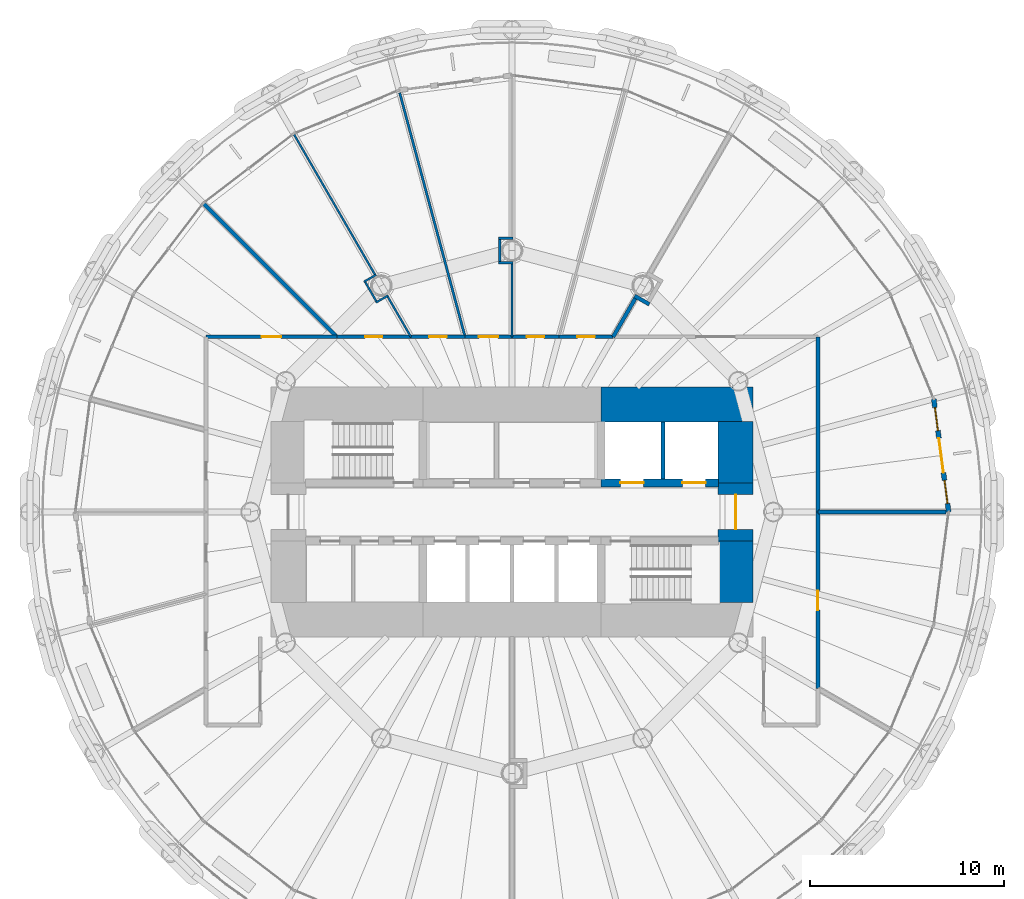
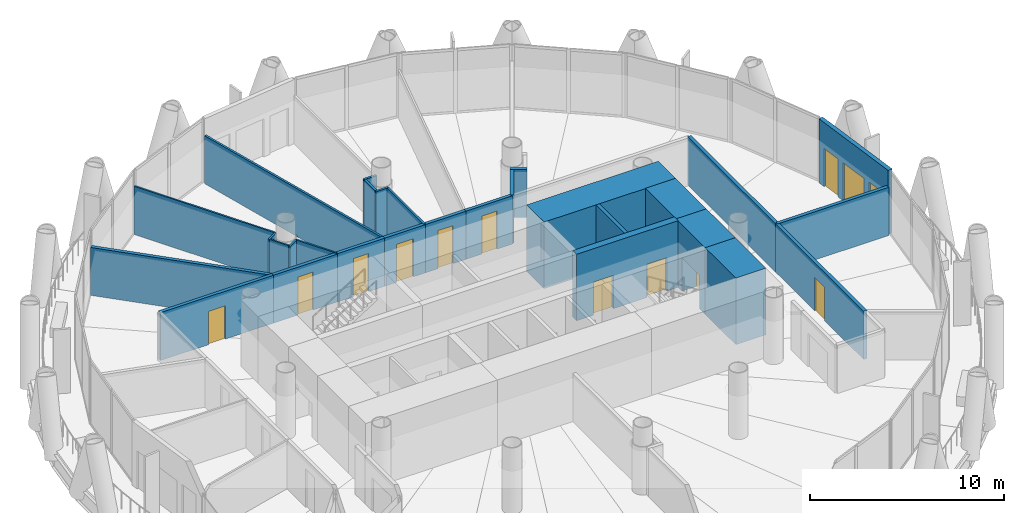
# One storey, part 11 of 16: 29 walls, 11 doors, 2 windows, 13 openings.
"""IFC4 building model written with IfcOpenShell, lengths in metres."""

from ifc_helpers import new_model, si_unit, direction, frame, frame_2d, origin, place, context, subcontext, project, spatial, rectangle, extrude, material, layer, layer_set, type_object, element, fill, save


model = new_model("IFC4")

# Units and contexts
model_context = context("Model", 3, precision=1e-05, world=origin(), true_north=direction((0.0, 1.0)))
body_context = subcontext(model_context, "Body", "Model", "MODEL_VIEW")
ifc_project = project(units=[si_unit("LENGTHUNIT", "METRE"), si_unit("AREAUNIT", "SQUARE_METRE"), si_unit("VOLUMEUNIT", "CUBIC_METRE"), si_unit("PLANEANGLEUNIT", "RADIAN"), si_unit("MASSUNIT", "GRAM", prefix="KILO")], contexts=[model_context])

# Site, building, storey
site_placement = place(None, origin())
site = spatial("IfcSite", under=ifc_project, at=site_placement, CompositionType="ELEMENT")
building_placement = place(site_placement, origin())
building = spatial("IfcBuilding", under=site, at=building_placement, Name="Qaws Media Tower", CompositionType="ELEMENT")
storey_placement = place(building_placement, frame((0.0, 0.0, 139.39990234375)))
storey = spatial("IfcBuildingStorey", under=building, at=storey_placement, Name="L31", CompositionType="ELEMENT", Elevation=139.39990234375)

# Wall, openings, door, windows
ifc_material_1 = material(Name="Precast concrete, exposed finish", Category="concrete")
ifc_layer_1 = layer(ifc_material_1, 0.25)
ifc_layer_set_1 = layer_set([ifc_layer_1], Name="Balcony door wall 250")
wall_type_1 = type_object("IfcWallType", Name="Balcony door wall 250", PredefinedType="SOLIDWALL", material=ifc_layer_set_1)
wall_1_placement = place(storey_placement, frame((82.550048828125, 50.0, 0.0), z_axis=(0.0, 0.0, 1.0), x_axis=(-0.130514589873, 0.991446388783, 0.0)))
wall_1 = element("IfcWall", 1, at=wall_1_placement, inside=storey, type_object=wall_type_1, Name="W193 EW1 balcony door wall L31-01", PredefinedType="SOLIDWALL", context=body_context, shape_type="SweptSolid", body=[
    extrude(rectangle(XDim=5.88671875, YDim=0.25, at=frame_2d((2.943359375, 0.0))), origin(), (0.0, 0.0, 1.0), 4.0400390625),
])
opening_1_placement = place(wall_1_placement, frame((2.04345703125, 0.0, 0.0)))
opening_1 = element("IfcOpeningElement", 2, at=opening_1_placement, cuts=wall_1, Name="Opening D7", PredefinedType="OPENING", context=body_context, shape_type="SweptSolid", body=[
    extrude(rectangle(XDim=1.800048828125, YDim=2.39990234375, at=frame_2d((0.89990234375, 1.199951171875))), frame((0.0, 0.135009765625, 0.0), z_axis=(0.0, -1.0, 0.0), x_axis=(1.0, 0.0, 0.0)), (0.0, 0.0, 1.0), 0.27001953125),
])
opening_2_placement = place(wall_1_placement, frame((0.443359375, 0.0, 0.0)))
opening_2 = element("IfcOpeningElement", 3, at=opening_2_placement, cuts=wall_1, Name="Opening W1", PredefinedType="OPENING", context=body_context, shape_type="SweptSolid", body=[
    extrude(rectangle(XDim=1.199951171875, YDim=2.39990234375, at=frame_2d((0.60009765625, 1.199951171875))), frame((0.0, 0.135009765625, 0.0), z_axis=(0.0, -1.0, 0.0), x_axis=(1.0, 0.0, 0.0)), (0.0, 0.0, 1.0), 0.27001953125),
])
opening_3_placement = place(wall_1_placement, frame((4.243408203125, 0.0, 0.0)))
opening_3 = element("IfcOpeningElement", 4, at=opening_3_placement, cuts=wall_1, Name="Opening W1", PredefinedType="OPENING", context=body_context, shape_type="SweptSolid", body=[
    extrude(rectangle(XDim=1.199951171875, YDim=2.39990234375, at=frame_2d((0.60009765625, 1.199951171875))), frame((0.0, 0.135009765625, 0.0), z_axis=(0.0, -1.0, 0.0), x_axis=(1.0, 0.0, 0.0)), (0.0, 0.0, 1.0), 0.27001953125),
])
ifc_material_2 = material(Name="Aluminium and clear glass", Category="aluminium")
door_type_1 = type_object("IfcDoorType", Name="Balcony door pair 1800", OperationType="DOUBLE_DOOR_SLIDING", PredefinedType="DOOR", material=ifc_material_2)
door_1_placement = place(opening_1_placement, origin())
door_1 = element("IfcDoor", 5, at=door_1_placement, inside=storey, type_object=door_type_1, Name="D7 balcony door L31-01 in wall W193", OperationType="DOUBLE_DOOR_SLIDING", OverallHeight=2.39990234375, OverallWidth=1.800048828125, PredefinedType="DOOR", context=body_context, shape_type="SweptSolid", body=[
    extrude(rectangle(XDim=1.800048828125, YDim=2.39990234375, at=frame_2d((0.89990234375, 1.199951171875))), frame((0.0, 0.02490234375, 0.0), z_axis=(0.0, -1.0, 0.0), x_axis=(1.0, 0.0, 0.0)), (0.0, 0.0, 1.0), 0.050048828125),
])
fill(opening_1, door_1)
ifc_material_3 = material(Name="Aluminium and clear glass", Category="aluminium")
window_type = type_object("IfcWindowType", Name="Balcony side window 1200", PartitioningType="SINGLE_PANEL", PredefinedType="WINDOW", material=ifc_material_3)
window_1_placement = place(opening_2_placement, origin())
window_1 = element("IfcWindow", 6, at=window_1_placement, inside=storey, type_object=window_type, Name="W1 balcony side light L31-01L", OverallHeight=2.39990234375, OverallWidth=1.199951171875, PartitioningType="SINGLE_PANEL", PredefinedType="WINDOW", context=body_context, shape_type="SweptSolid", body=[
    extrude(rectangle(XDim=1.199951171875, YDim=2.39990234375, at=frame_2d((0.60009765625, 1.199951171875))), frame((0.0, 0.030029296875, 0.0), z_axis=(0.0, -1.0, 0.0), x_axis=(1.0, 0.0, 0.0)), (0.0, 0.0, 1.0), 0.06005859375),
])
fill(opening_2, window_1)
window_2_placement = place(opening_3_placement, origin())
window_2 = element("IfcWindow", 7, at=window_2_placement, inside=storey, type_object=window_type, Name="W1 balcony side light L31-01R", OverallHeight=2.39990234375, OverallWidth=1.199951171875, PartitioningType="SINGLE_PANEL", PredefinedType="WINDOW", context=body_context, shape_type="SweptSolid", body=[
    extrude(rectangle(XDim=1.199951171875, YDim=2.39990234375, at=frame_2d((0.60009765625, 1.199951171875))), frame((0.0, 0.030029296875, 0.0), z_axis=(0.0, -1.0, 0.0), x_axis=(1.0, 0.0, 0.0)), (0.0, 0.0, 1.0), 0.06005859375),
])
fill(opening_3, window_2)

# Wall, openings, doors
ifc_material_4 = material(Name="Concrete C60/75", Category="concrete")
ifc_layer_2 = layer(ifc_material_4, 0.39990234375)
ifc_layer_set_2 = layer_set([ifc_layer_2], Name="Core inner wall 400")
wall_type_2 = type_object("IfcWallType", Name="Core inner wall 400", PredefinedType="SHEAR", material=ifc_layer_set_2)
wall_2_placement = place(storey_placement, frame((64.60009765625, 51.5, 0.0), z_axis=(0.0, 0.0, 1.0), x_axis=(1.0, 0.0, 0.0)))
wall_2 = element("IfcWall", 8, at=wall_2_placement, inside=storey, type_object=wall_type_2, Name="W326 SW4 core wall SPNE L31", PredefinedType="SHEAR", context=body_context, shape_type="SweptSolid", body=[
    extrude(rectangle(XDim=6.06982421875, YDim=0.39990234375, at=frame_2d((3.034912109375, 0.0))), origin(), (0.0, 0.0, 1.0), 4.2001953125),
])
opening_4_placement = place(wall_2_placement, frame((1.0, 0.0, 0.0)))
opening_4 = element("IfcOpeningElement", 9, at=opening_4_placement, cuts=wall_2, Name="Opening LD2", PredefinedType="OPENING", context=body_context, shape_type="SweptSolid", body=[
    extrude(rectangle(XDim=1.199951171875, YDim=2.10009765625, at=frame_2d((0.60009765625, 1.050048828125))), frame((0.0, 0.2099609375, 0.0), z_axis=(0.0, -1.0, 0.0), x_axis=(1.0, 0.0, 0.0)), (0.0, 0.0, 1.0), 0.419921875),
])
opening_5_placement = place(wall_2_placement, frame((4.199951171875, 0.0, 0.0)))
opening_5 = element("IfcOpeningElement", 10, at=opening_5_placement, cuts=wall_2, Name="Opening LD2", PredefinedType="OPENING", context=body_context, shape_type="SweptSolid", body=[
    extrude(rectangle(XDim=1.199951171875, YDim=2.10009765625, at=frame_2d((0.60009765625, 1.050048828125))), frame((0.0, 0.2099609375, 0.0), z_axis=(0.0, -1.0, 0.0), x_axis=(1.0, 0.0, 0.0)), (0.0, 0.0, 1.0), 0.419921875),
])
ifc_material_5 = material(Name="Steel, fire rated", Category="steel")
door_type_2 = type_object("IfcDoorType", Name="Lift landing door 1200", OperationType="SLIDING_TO_LEFT", PredefinedType="DOOR", material=ifc_material_5)
door_2_placement = place(opening_4_placement, origin())
door_2 = element("IfcDoor", 11, at=door_2_placement, inside=storey, type_object=door_type_2, Name="FL1 landing door L31 in wall W326", OperationType="SLIDING_TO_LEFT", OverallHeight=2.10009765625, OverallWidth=1.199951171875, PredefinedType="DOOR", context=body_context, shape_type="SweptSolid", body=[
    extrude(rectangle(XDim=1.199951171875, YDim=2.10009765625, at=frame_2d((0.60009765625, 1.050048828125))), frame((0.0, 0.02490234375, 0.0), z_axis=(0.0, -1.0, 0.0), x_axis=(1.0, 0.0, 0.0)), (0.0, 0.0, 1.0), 0.050048828125),
])
fill(opening_4, door_2)
door_3_placement = place(opening_5_placement, origin())
door_3 = element("IfcDoor", 12, at=door_3_placement, inside=storey, type_object=door_type_2, Name="FL2 landing door L31 in wall W326", OperationType="SLIDING_TO_LEFT", OverallHeight=2.10009765625, OverallWidth=1.199951171875, PredefinedType="DOOR", context=body_context, shape_type="SweptSolid", body=[
    extrude(rectangle(XDim=1.199951171875, YDim=2.10009765625, at=frame_2d((0.60009765625, 1.050048828125))), frame((0.0, 0.02490234375, 0.0), z_axis=(0.0, -1.0, 0.0), x_axis=(1.0, 0.0, 0.0)), (0.0, 0.0, 1.0), 0.050048828125),
])
fill(opening_5, door_3)

# Walls
ifc_material_6 = material(Name="Concrete C60/75", Category="concrete")
ifc_layer_3 = layer(ifc_material_6, 1.800048828125)
ifc_layer_set_3 = layer_set([ifc_layer_3], Name="Core wall 1800")
wall_type_3 = type_object("IfcWallType", Name="Core wall 1800", PredefinedType="SHEAR", material=ifc_layer_set_3)
wall_3_placement = place(storey_placement, frame((64.60009765625, 55.550048828125, 0.0), z_axis=(0.0, 0.0, 1.0), x_axis=(1.0, 0.0, 0.0)))
element("IfcWall", 13, at=wall_3_placement, inside=storey, type_object=wall_type_3, Name="W423 SW11 core wall NE L31", PredefinedType="SHEAR", context=body_context, shape_type="SweptSolid", body=[
    extrude(rectangle(XDim=7.849853515625, YDim=1.800048828125, at=frame_2d((3.9248046875, 0.0))), origin(), (0.0, 0.0, 1.0), 4.2001953125),
])
wall_4_placement = place(storey_placement, frame((71.550048828125, 45.330078125, 0.0), z_axis=(0.0, 0.0, 1.0), x_axis=(0.0, 1.0, 0.0)))
element("IfcWall", 14, at=wall_4_placement, inside=storey, type_object=wall_type_3, Name="W424 SW11 core wall ES L31", PredefinedType="SHEAR", context=body_context, shape_type="SweptSolid", body=[
    extrude(rectangle(XDim=3.169921875, YDim=1.800048828125, at=frame_2d((1.5849609375, 0.0))), origin(), (0.0, 0.0, 1.0), 4.2001953125),
])

# Wall, opening, door
wall_5_placement = place(storey_placement, frame((71.550048828125, 48.5, 0.0), z_axis=(0.0, 0.0, 1.0), x_axis=(0.0, 1.0, 0.0)))
wall_5 = element("IfcWall", 15, at=wall_5_placement, inside=storey, type_object=wall_type_3, Name="W427 SW11 core wall E L31", PredefinedType="SHEAR", context=body_context, shape_type="SweptSolid", body=[
    extrude(rectangle(XDim=3.0, YDim=1.800048828125, at=frame_2d((1.5, 0.0))), origin(), (0.0, 0.0, 1.0), 4.2001953125),
])
opening_6_placement = place(wall_5_placement, frame((0.60009765625, 0.0, 0.0)))
opening_6 = element("IfcOpeningElement", 16, at=opening_6_placement, cuts=wall_5, Name="Opening D2", PredefinedType="OPENING", context=body_context, shape_type="SweptSolid", body=[
    extrude(rectangle(XDim=1.800048828125, YDim=2.10009765625, at=frame_2d((0.89990234375, 1.050048828125))), frame((0.0, 0.909912109375, 0.0), z_axis=(0.0, -1.0, 0.0), x_axis=(1.0, 0.0, 0.0)), (0.0, 0.0, 1.0), 1.820068359375),
])
ifc_material_7 = material(Name="Steel and glass, fire rated", Category="steel")
door_type_3 = type_object("IfcDoorType", Name="Lobby door pair 1800 FD60", OperationType="DOUBLE_DOOR_DOUBLE_SWING", PredefinedType="DOOR", material=ifc_material_7)
door_4_placement = place(opening_6_placement, origin())
door_4 = element("IfcDoor", 17, at=door_4_placement, inside=storey, type_object=door_type_3, Name="D2 core lobby door E L31 in wall W427", OperationType="DOUBLE_DOOR_DOUBLE_SWING", OverallHeight=2.10009765625, OverallWidth=1.800048828125, PredefinedType="DOOR", context=body_context, shape_type="SweptSolid", body=[
    extrude(rectangle(XDim=1.800048828125, YDim=2.10009765625, at=frame_2d((0.89990234375, 1.050048828125))), frame((0.0, 0.02490234375, 0.0), z_axis=(0.0, -1.0, 0.0), x_axis=(1.0, 0.0, 0.0)), (0.0, 0.0, 1.0), 0.050048828125),
])
fill(opening_6, door_4)

# Walls
wall_6_placement = place(storey_placement, frame((71.550048828125, 51.5, 0.0), z_axis=(0.0, 0.0, 1.0), x_axis=(0.0, 1.0, 0.0)))
element("IfcWall", 18, at=wall_6_placement, inside=storey, type_object=wall_type_3, Name="W425 SW11 core wall EN L31", PredefinedType="SHEAR", context=body_context, shape_type="SweptSolid", body=[
    extrude(rectangle(XDim=3.169921875, YDim=1.800048828125, at=frame_2d((1.5849609375, 0.0))), origin(), (0.0, 0.0, 1.0), 4.2001953125),
])
ifc_material_8 = material(Name="Two layers gypsum board each side on 75 studs, insulated", Category="gypsum")
ifc_layer_4 = layer(ifc_material_8, 0.125)
ifc_layer_set_4 = layer_set([ifc_layer_4], Name="Meeting room partition 125 Rw 48")
wall_type_4 = type_object("IfcWallType", Name="Meeting room partition 125 Rw 48", PredefinedType="PARTITIONING", material=ifc_layer_set_4)
for number, where, z_axis, x_axis, name in (
    (19, (60.0625, 62.869384765625, 0.0), (0.0, 0.0, 1.0), (-1.0, 0.0, 0.0), "W554 IW5 partition return L31"),
    (20, (60.0625, 64.130615234375, 0.0), (0.0, 0.0, 1.0), (-1.0, 0.0, 0.0), "W555 IW5 partition return L31"),
):
    element("IfcWall", number, at=place(storey_placement, frame(where, z_axis=z_axis, x_axis=x_axis)), inside=storey, type_object=wall_type_4, Name=name, PredefinedType="PARTITIONING", context=body_context, shape_type="SweptSolid", body=[
        extrude(rectangle(XDim=0.765380859375, YDim=0.125, at=frame_2d((0.3828125, 0.0))), origin(), (0.0, 0.0, 1.0), 3.02001953125),
    ])
wall_7_placement = place(storey_placement, frame((59.359619140625, 62.931884765625, 0.0), z_axis=(0.0, 0.0, 1.0), x_axis=(0.0, 1.0, 0.0)))
element("IfcWall", 21, at=wall_7_placement, inside=storey, type_object=wall_type_4, Name="W551 IW5 partition return L31", PredefinedType="PARTITIONING", context=body_context, shape_type="SweptSolid", body=[
    extrude(rectangle(XDim=1.13623046875, YDim=0.125, at=frame_2d((0.568115234375, 0.0))), origin(), (0.0, 0.0, 1.0), 3.02001953125),
])
wall_8_placement = place(storey_placement, frame((60.0, 59.0400390625, 0.0), z_axis=(0.0, 0.0, 1.0), x_axis=(0.0, 1.0, 0.0)))
element("IfcWall", 22, at=wall_8_placement, inside=storey, type_object=wall_type_4, Name="W552 IW5 partition L31", PredefinedType="PARTITIONING", context=body_context, shape_type="SweptSolid", body=[
    extrude(rectangle(XDim=3.766845703125, YDim=0.125, at=frame_2d((1.88330078125, 0.0))), origin(), (0.0, 0.0, 1.0), 3.0400390625),
])
wall_9_placement = place(storey_placement, frame((57.577392578125, 59.041015625, 0.0), z_axis=(0.0, 0.0, 1.0), x_axis=(-0.258805906815, 0.965929346587, 0.0)))
element("IfcWall", 23, at=wall_9_placement, inside=storey, type_object=wall_type_4, Name="W556 IW5 partition L31", PredefinedType="PARTITIONING", context=body_context, shape_type="SweptSolid", body=[
    extrude(rectangle(XDim=13.050048828125, YDim=0.125, at=frame_2d((6.52490234375, 0.0))), origin(), (0.0, 0.0, 1.0), 3.02001953125),
])
ifc_material_9 = material(Name="Gypsum board on 70 metal studs, single layer each side", Category="gypsum")
ifc_layer_5 = layer(ifc_material_9, 0.10009765625)
ifc_layer_set_5 = layer_set([ifc_layer_5], Name="Office stud partition 100")
wall_type_5 = type_object("IfcWallType", Name="Office stud partition 100", PredefinedType="PARTITIONING", material=ifc_layer_set_5)
for number, where, z_axis, x_axis, name in (
    (24, (53.602294921875, 61.18115234375, 0.0), (0.0, 0.0, 1.0), (-0.866068339032, -0.499925626596, 0.0), "W673 IW4 partition return L31"),
    (25, (52.984375, 62.25146484375, 0.0), (0.0, 0.0, 1.0), (-0.866068339032, -0.499925626596, 0.0), "W671 IW4 partition return L31"),
):
    element("IfcWall", number, at=place(storey_placement, frame(where, z_axis=z_axis, x_axis=x_axis)), inside=storey, type_object=wall_type_5, Name=name, PredefinedType="PARTITIONING", context=body_context, shape_type="SweptSolid", body=[
        extrude(rectangle(XDim=0.72802734375, YDim=0.10009765625, at=frame_2d((0.364013671875, 0.0))), origin(), (0.0, 0.0, 1.0), 3.02001953125),
    ])
wall_10_placement = place(storey_placement, frame((52.989990234375, 60.885498046875, 0.0), z_axis=(0.0, 0.0, 1.0), x_axis=(-0.499976747263, 0.866038828342, 0.0)))
element("IfcWall", 26, at=wall_10_placement, inside=storey, type_object=wall_type_5, Name="W672 IW4 partition return L31", PredefinedType="PARTITIONING", context=body_context, shape_type="SweptSolid", body=[
    extrude(rectangle(XDim=1.1357421875, YDim=0.10009765625, at=frame_2d((0.56787109375, 0.0))), origin(), (0.0, 0.0, 1.0), 3.02001953125),
])
wall_11_placement = place(storey_placement, frame((54.780029296875, 59.041259765625, 0.0), z_axis=(0.0, 0.0, 1.0), x_axis=(-0.500014005679, 0.866017317451, 0.0)))
element("IfcWall", 27, at=wall_11_placement, inside=storey, type_object=wall_type_5, Name="W674 IW4 partition L31", PredefinedType="PARTITIONING", context=body_context, shape_type="SweptSolid", body=[
    extrude(rectangle(XDim=2.39208984375, YDim=0.10009765625, at=frame_2d((1.196044921875, 0.0))), origin(), (0.0, 0.0, 1.0), 3.0400390625),
])
wall_12_placement = place(storey_placement, frame((52.916015625, 62.269775390625, 0.0), z_axis=(0.0, 0.0, 1.0), x_axis=(-0.499991838624, 0.866030115706, 0.0)))
element("IfcWall", 28, at=wall_12_placement, inside=storey, type_object=wall_type_5, Name="W678 IW4 partition L31", PredefinedType="PARTITIONING", context=body_context, shape_type="SweptSolid", body=[
    extrude(rectangle(XDim=8.342041015625, YDim=0.10009765625, at=frame_2d((4.1708984375, 0.0))), origin(), (0.0, 0.0, 1.0), 3.0400390625),
])

# Wall, opening, door
ifc_material_10 = material(Name="Gypsum board on galvanised metal studs, acoustic double stud, deflection head", Category="gypsum")
ifc_layer_6 = layer(ifc_material_10, 0.199951171875)
ifc_layer_set_6 = layer_set([ifc_layer_6], Name="Room partition 200")
wall_type_6 = type_object("IfcWallType", Name="Room partition 200", PredefinedType="PARTITIONING", material=ifc_layer_set_6)
wall_13_placement = place(storey_placement, frame((44.199951171875, 59.050048828125, 0.0), z_axis=(0.0, 0.0, 1.0), x_axis=(1.0, 0.0, 0.0)))
wall_13 = element("IfcWall", 29, at=wall_13_placement, inside=storey, type_object=wall_type_6, Name="W1220 IW3 partition L31", PredefinedType="PARTITIONING", context=body_context, shape_type="SweptSolid", body=[
    extrude(rectangle(XDim=6.75, YDim=0.199951171875, at=frame_2d((3.375, 0.0))), origin(), (0.0, 0.0, 1.0), 3.02001953125),
])
opening_7_placement = place(wall_13_placement, frame((2.875, 0.0, 0.0)))
opening_7 = element("IfcOpeningElement", 30, at=opening_7_placement, cuts=wall_13, Name="Opening D5", PredefinedType="OPENING", context=body_context, shape_type="SweptSolid", body=[
    extrude(rectangle(XDim=1.0, YDim=2.10009765625, at=frame_2d((0.5, 1.050048828125))), frame((0.0, 0.10986328125, 0.0), z_axis=(0.0, -1.0, 0.0), x_axis=(1.0, 0.0, 0.0)), (0.0, 0.0, 1.0), 0.219970703125),
])
ifc_material_11 = material(Name="Timber veneered, acoustic seal", Category="wood")
door_type_4 = type_object("IfcDoorType", Name="Room door 1000", OperationType="SINGLE_SWING_LEFT", PredefinedType="DOOR", material=ifc_material_11)
door_5_placement = place(opening_7_placement, origin())
door_5 = element("IfcDoor", 31, at=door_5_placement, inside=storey, type_object=door_type_4, Name="D5 Legal library door L31 in wall W1220", OperationType="SINGLE_SWING_LEFT", OverallHeight=2.10009765625, OverallWidth=1.0, PredefinedType="DOOR", context=body_context, shape_type="SweptSolid", body=[
    extrude(rectangle(XDim=1.0, YDim=2.10009765625, at=frame_2d((0.5, 1.050048828125))), frame((0.0, 0.02490234375, 0.0), z_axis=(0.0, -1.0, 0.0), x_axis=(1.0, 0.0, 0.0)), (0.0, 0.0, 1.0), 0.050048828125),
])
fill(opening_7, door_5)

wall_14_placement = place(storey_placement, frame((50.949951171875, 59.050048828125, 0.0), z_axis=(0.0, 0.0, 1.0), x_axis=(1.0, 0.0, 0.0)))
wall_14 = element("IfcWall", 32, at=wall_14_placement, inside=storey, type_object=wall_type_6, Name="W1281 IW3 partition L31", PredefinedType="PARTITIONING", context=body_context, shape_type="SweptSolid", body=[
    extrude(rectangle(XDim=3.824951171875, YDim=0.199951171875, at=frame_2d((1.91259765625, 0.0))), origin(), (0.0, 0.0, 1.0), 3.02001953125),
])
opening_8_placement = place(wall_14_placement, frame((1.46240234375, 0.0, 0.0)))
opening_8 = element("IfcOpeningElement", 33, at=opening_8_placement, cuts=wall_14, Name="Opening D12", PredefinedType="OPENING", context=body_context, shape_type="SweptSolid", body=[
    extrude(rectangle(XDim=0.89990234375, YDim=2.39990234375, at=frame_2d((0.449951171875, 1.199951171875))), frame((0.0, 0.10986328125, 0.0), z_axis=(0.0, -1.0, 0.0), x_axis=(1.0, 0.0, 0.0)), (0.0, 0.0, 1.0), 0.219970703125),
])
ifc_material_12 = material(Name="Timber veneered, full height", Category="wood")
door_type_5 = type_object("IfcDoorType", Name="Office door 900x2400", OperationType="SINGLE_SWING_LEFT", PredefinedType="DOOR", material=ifc_material_12)
door_6_placement = place(opening_8_placement, origin())
door_6 = element("IfcDoor", 34, at=door_6_placement, inside=storey, type_object=door_type_5, Name="D12 Office door L31 in wall W1281", OperationType="SINGLE_SWING_LEFT", OverallHeight=2.39990234375, OverallWidth=0.89990234375, PredefinedType="DOOR", context=body_context, shape_type="SweptSolid", body=[
    extrude(rectangle(XDim=0.89990234375, YDim=2.39990234375, at=frame_2d((0.449951171875, 1.199951171875))), frame((0.0, 0.02490234375, 0.0), z_axis=(0.0, -1.0, 0.0), x_axis=(1.0, 0.0, 0.0)), (0.0, 0.0, 1.0), 0.050048828125),
])
fill(opening_8, door_6)

wall_15_placement = place(storey_placement, frame((54.77490234375, 59.050048828125, 0.0), z_axis=(0.0, 0.0, 1.0), x_axis=(1.0, 0.0, 0.0)))
wall_15 = element("IfcWall", 35, at=wall_15_placement, inside=storey, type_object=wall_type_6, Name="W1282 IW3 partition L31", PredefinedType="PARTITIONING", context=body_context, shape_type="SweptSolid", body=[
    extrude(rectangle(XDim=2.80029296875, YDim=0.199951171875, at=frame_2d((1.400146484375, 0.0))), origin(), (0.0, 0.0, 1.0), 3.0400390625),
])
opening_9_placement = place(wall_15_placement, frame((0.949951171875, 0.0, 0.0)))
opening_9 = element("IfcOpeningElement", 36, at=opening_9_placement, cuts=wall_15, Name="Opening D12", PredefinedType="OPENING", context=body_context, shape_type="SweptSolid", body=[
    extrude(rectangle(XDim=0.89990234375, YDim=2.39990234375, at=frame_2d((0.449951171875, 1.199951171875))), frame((0.0, 0.10986328125, 0.0), z_axis=(0.0, -1.0, 0.0), x_axis=(1.0, 0.0, 0.0)), (0.0, 0.0, 1.0), 0.219970703125),
])
door_7_placement = place(opening_9_placement, origin())
door_7 = element("IfcDoor", 37, at=door_7_placement, inside=storey, type_object=door_type_5, Name="D12 Office door L31 in wall W1282", OperationType="SINGLE_SWING_LEFT", OverallHeight=2.39990234375, OverallWidth=0.89990234375, PredefinedType="DOOR", context=body_context, shape_type="SweptSolid", body=[
    extrude(rectangle(XDim=0.89990234375, YDim=2.39990234375, at=frame_2d((0.449951171875, 1.199951171875))), frame((0.0, 0.02490234375, 0.0), z_axis=(0.0, -1.0, 0.0), x_axis=(1.0, 0.0, 0.0)), (0.0, 0.0, 1.0), 0.050048828125),
])
fill(opening_9, door_7)

wall_16_placement = place(storey_placement, frame((57.5751953125, 59.050048828125, 0.0), z_axis=(0.0, 0.0, 1.0), x_axis=(1.0, 0.0, 0.0)))
wall_16 = element("IfcWall", 38, at=wall_16_placement, inside=storey, type_object=wall_type_6, Name="W1283 IW3 partition L31", PredefinedType="PARTITIONING", context=body_context, shape_type="SweptSolid", body=[
    extrude(rectangle(XDim=2.4248046875, YDim=0.199951171875, at=frame_2d((1.21240234375, 0.0))), origin(), (0.0, 0.0, 1.0), 3.0400390625),
])
opening_10_placement = place(wall_16_placement, frame((0.71240234375, 0.0, 0.0)))
opening_10 = element("IfcOpeningElement", 39, at=opening_10_placement, cuts=wall_16, Name="Opening D13", PredefinedType="OPENING", context=body_context, shape_type="SweptSolid", body=[
    extrude(rectangle(XDim=1.0, YDim=2.39990234375, at=frame_2d((0.5, 1.199951171875))), frame((0.0, 0.10986328125, 0.0), z_axis=(0.0, -1.0, 0.0), x_axis=(1.0, 0.0, 0.0)), (0.0, 0.0, 1.0), 0.219970703125),
])
ifc_material_13 = material(Name="Frameless toughened glass, acoustic seals", Category="glass")
door_type_6 = type_object("IfcDoorType", Name="Glazed meeting room door 1000x2400", OperationType="SINGLE_SWING_LEFT", PredefinedType="DOOR", material=ifc_material_13)
door_8_placement = place(opening_10_placement, origin())
door_8 = element("IfcDoor", 40, at=door_8_placement, inside=storey, type_object=door_type_6, Name="D13 Meeting room door L31 in wall W1283", OperationType="SINGLE_SWING_LEFT", OverallHeight=2.39990234375, OverallWidth=1.0, PredefinedType="DOOR", context=body_context, shape_type="SweptSolid", body=[
    extrude(rectangle(XDim=1.0, YDim=2.39990234375, at=frame_2d((0.5, 1.199951171875))), frame((0.0, 0.02490234375, 0.0), z_axis=(0.0, -1.0, 0.0), x_axis=(1.0, 0.0, 0.0)), (0.0, 0.0, 1.0), 0.050048828125),
])
fill(opening_10, door_8)

wall_17_placement = place(storey_placement, frame((60.0, 59.050048828125, 0.0), z_axis=(0.0, 0.0, 1.0), x_axis=(1.0, 0.0, 0.0)))
wall_17 = element("IfcWall", 41, at=wall_17_placement, inside=storey, type_object=wall_type_6, Name="W1289 IW3 partition L31", PredefinedType="PARTITIONING", context=body_context, shape_type="SweptSolid", body=[
    extrude(rectangle(XDim=2.4248046875, YDim=0.199951171875, at=frame_2d((1.21240234375, 0.0))), origin(), (0.0, 0.0, 1.0), 3.0400390625),
])
opening_11_placement = place(wall_17_placement, frame((0.762451171875, 0.0, 0.0)))
opening_11 = element("IfcOpeningElement", 42, at=opening_11_placement, cuts=wall_17, Name="Opening D12", PredefinedType="OPENING", context=body_context, shape_type="SweptSolid", body=[
    extrude(rectangle(XDim=0.89990234375, YDim=2.39990234375, at=frame_2d((0.449951171875, 1.199951171875))), frame((0.0, 0.10986328125, 0.0), z_axis=(0.0, -1.0, 0.0), x_axis=(1.0, 0.0, 0.0)), (0.0, 0.0, 1.0), 0.219970703125),
])
door_9_placement = place(opening_11_placement, origin())
door_9 = element("IfcDoor", 43, at=door_9_placement, inside=storey, type_object=door_type_5, Name="D12 Office door L31 in wall W1289", OperationType="SINGLE_SWING_LEFT", OverallHeight=2.39990234375, OverallWidth=0.89990234375, PredefinedType="DOOR", context=body_context, shape_type="SweptSolid", body=[
    extrude(rectangle(XDim=0.89990234375, YDim=2.39990234375, at=frame_2d((0.449951171875, 1.199951171875))), frame((0.0, 0.02490234375, 0.0), z_axis=(0.0, -1.0, 0.0), x_axis=(1.0, 0.0, 0.0)), (0.0, 0.0, 1.0), 0.050048828125),
])
fill(opening_11, door_9)

wall_18_placement = place(storey_placement, frame((62.4248046875, 59.050048828125, 0.0), z_axis=(0.0, 0.0, 1.0), x_axis=(1.0, 0.0, 0.0)))
wall_18 = element("IfcWall", 44, at=wall_18_placement, inside=storey, type_object=wall_type_6, Name="W1291 IW3 partition L31", PredefinedType="PARTITIONING", context=body_context, shape_type="SweptSolid", body=[
    extrude(rectangle(XDim=2.80029296875, YDim=0.199951171875, at=frame_2d((1.400146484375, 0.0))), origin(), (0.0, 0.0, 1.0), 3.0400390625),
])
opening_12_placement = place(wall_18_placement, frame((0.949951171875, 0.0, 0.0)))
opening_12 = element("IfcOpeningElement", 45, at=opening_12_placement, cuts=wall_18, Name="Opening D12", PredefinedType="OPENING", context=body_context, shape_type="SweptSolid", body=[
    extrude(rectangle(XDim=0.89990234375, YDim=2.39990234375, at=frame_2d((0.449951171875, 1.199951171875))), frame((0.0, 0.10986328125, 0.0), z_axis=(0.0, -1.0, 0.0), x_axis=(1.0, 0.0, 0.0)), (0.0, 0.0, 1.0), 0.219970703125),
])
door_10_placement = place(opening_12_placement, origin())
door_10 = element("IfcDoor", 46, at=door_10_placement, inside=storey, type_object=door_type_5, Name="D12 Office door L31 in wall W1291", OperationType="SINGLE_SWING_LEFT", OverallHeight=2.39990234375, OverallWidth=0.89990234375, PredefinedType="DOOR", context=body_context, shape_type="SweptSolid", body=[
    extrude(rectangle(XDim=0.89990234375, YDim=2.39990234375, at=frame_2d((0.449951171875, 1.199951171875))), frame((0.0, 0.02490234375, 0.0), z_axis=(0.0, -1.0, 0.0), x_axis=(1.0, 0.0, 0.0)), (0.0, 0.0, 1.0), 0.050048828125),
])
fill(opening_12, door_10)

# Wall
wall_19_placement = place(storey_placement, frame((75.800048828125, 59.050048828125, 0.0), z_axis=(0.0, 0.0, 1.0), x_axis=(0.0, -1.0, 0.0)))
element("IfcWall", 47, at=wall_19_placement, inside=storey, type_object=wall_type_6, Name="W1235 IW3 partition L31", PredefinedType="PARTITIONING", context=body_context, shape_type="SweptSolid", body=[
    extrude(rectangle(XDim=9.050048828125, YDim=0.199951171875, at=frame_2d((4.52490234375, 0.0))), origin(), (0.0, 0.0, 1.0), 3.0400390625),
])

# Wall, opening, door
wall_20_placement = place(storey_placement, frame((75.800048828125, 50.0, 0.0), z_axis=(0.0, 0.0, 1.0), x_axis=(0.0, -1.0, 0.0)))
wall_20 = element("IfcWall", 48, at=wall_20_placement, inside=storey, type_object=wall_type_6, Name="W1233 IW3 partition L31", PredefinedType="PARTITIONING", context=body_context, shape_type="SweptSolid", body=[
    extrude(rectangle(XDim=9.1220703125, YDim=0.199951171875, at=frame_2d((4.56103515625, 0.0))), origin(), (0.0, 0.0, 1.0), 3.0400390625),
])
opening_13_placement = place(wall_20_placement, frame((4.06103515625, 0.0, 0.0)))
opening_13 = element("IfcOpeningElement", 49, at=opening_13_placement, cuts=wall_20, Name="Opening D5", PredefinedType="OPENING", context=body_context, shape_type="SweptSolid", body=[
    extrude(rectangle(XDim=1.0, YDim=2.10009765625, at=frame_2d((0.5, 1.050048828125))), frame((0.0, 0.10986328125, 0.0), z_axis=(0.0, -1.0, 0.0), x_axis=(1.0, 0.0, 0.0)), (0.0, 0.0, 1.0), 0.219970703125),
])
door_11_placement = place(opening_13_placement, origin())
door_11 = element("IfcDoor", 50, at=door_11_placement, inside=storey, type_object=door_type_4, Name="D5 Paralegal office door L31 in wall W1233", OperationType="SINGLE_SWING_LEFT", OverallHeight=2.10009765625, OverallWidth=1.0, PredefinedType="DOOR", context=body_context, shape_type="SweptSolid", body=[
    extrude(rectangle(XDim=1.0, YDim=2.10009765625, at=frame_2d((0.5, 1.050048828125))), frame((0.0, 0.02490234375, 0.0), z_axis=(0.0, -1.0, 0.0), x_axis=(1.0, 0.0, 0.0)), (0.0, 0.0, 1.0), 0.050048828125),
])
fill(opening_13, door_11)

# Walls
wall_21_placement = place(storey_placement, frame((75.800048828125, 50.0, 0.0), z_axis=(0.0, 0.0, 1.0), x_axis=(1.0, 0.0, 0.0)))
element("IfcWall", 51, at=wall_21_placement, inside=storey, type_object=wall_type_6, Name="W1306 IW3 partition L31", PredefinedType="PARTITIONING", context=body_context, shape_type="SweptSolid", body=[
    extrude(rectangle(XDim=6.60986328125, YDim=0.199951171875, at=frame_2d((3.304931640625, 0.0))), origin(), (0.0, 0.0, 1.0), 3.0400390625),
])
wall_22_placement = place(storey_placement, frame((66.329345703125, 61.162841796875, 0.0), z_axis=(0.0, 0.0, 1.0), x_axis=(0.86607910459, -0.49990697594, 0.0)))
element("IfcWall", 52, at=wall_22_placement, inside=storey, type_object=wall_type_6, Name="W1294 IW3 partition return L31", PredefinedType="PARTITIONING", context=body_context, shape_type="SweptSolid", body=[
    extrude(rectangle(XDim=0.878173828125, YDim=0.199951171875, at=frame_2d((0.43896484375, 0.0))), origin(), (0.0, 0.0, 1.0), 3.02001953125),
])
wall_23_placement = place(storey_placement, frame((65.219970703125, 59.041259765625, 0.0), z_axis=(0.0, 0.0, 1.0), x_axis=(0.500011369369, 0.866018839577, 0.0)))
element("IfcWall", 53, at=wall_23_placement, inside=storey, type_object=wall_type_6, Name="W1292 IW3 partition L31", PredefinedType="PARTITIONING", context=body_context, shape_type="SweptSolid", body=[
    extrude(rectangle(XDim=2.2919921875, YDim=0.199951171875, at=frame_2d((1.14599609375, 0.0))), origin(), (0.0, 0.0, 1.0), 3.0400390625),
])
wall_24_placement = place(storey_placement, frame((50.948974609375, 59.051025390625, 0.0), z_axis=(0.0, 0.0, 1.0), x_axis=(-0.707106781187, 0.707106781187, 0.0)))
element("IfcWall", 54, at=wall_24_placement, inside=storey, type_object=wall_type_6, Name="W1302 IW3 partition L31", PredefinedType="PARTITIONING", context=body_context, shape_type="SweptSolid", body=[
    extrude(rectangle(XDim=9.7099609375, YDim=0.199951171875, at=frame_2d((4.85498046875, 0.0))), origin(), (0.0, 0.0, 1.0), 3.02001953125),
])
ifc_material_14 = material(Name="Fire-rated gypsum board shaft wall on galvanised metal studs, deflection head", Category="gypsum")
ifc_layer_7 = layer(ifc_material_14, 0.199951171875)
ifc_layer_set_7 = layer_set([ifc_layer_7], Name="Shaft wall 200")
wall_type_7 = type_object("IfcWallType", Name="Shaft wall 200", PredefinedType="PARTITIONING", material=ifc_layer_set_7)
wall_25_placement = place(storey_placement, frame((67.800048828125, 51.699951171875, 0.0), z_axis=(0.0, 0.0, 1.0), x_axis=(0.0, 1.0, 0.0)))
element("IfcWall", 55, at=wall_25_placement, inside=storey, type_object=wall_type_7, Name="W1863 IW1 shaft wall FL L31", PredefinedType="PARTITIONING", context=body_context, shape_type="SweptSolid", body=[
    extrude(rectangle(XDim=2.949951171875, YDim=0.199951171875, at=frame_2d((1.47509765625, 0.0))), origin(), (0.0, 0.0, 1.0), 4.2001953125),
])

save(model, "model.ifc")
